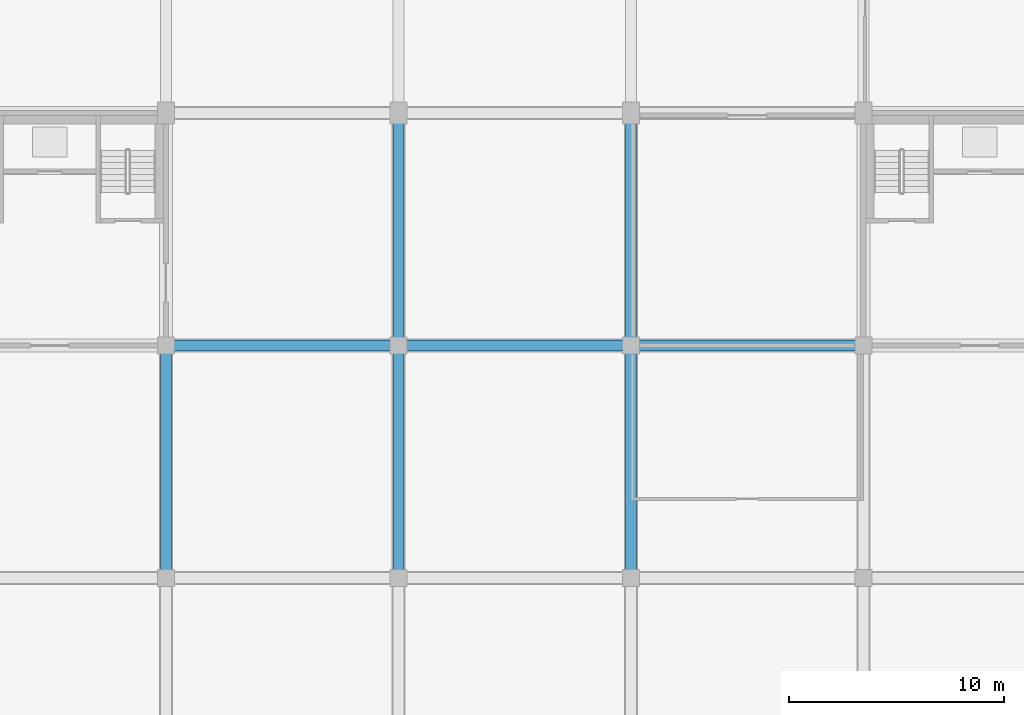
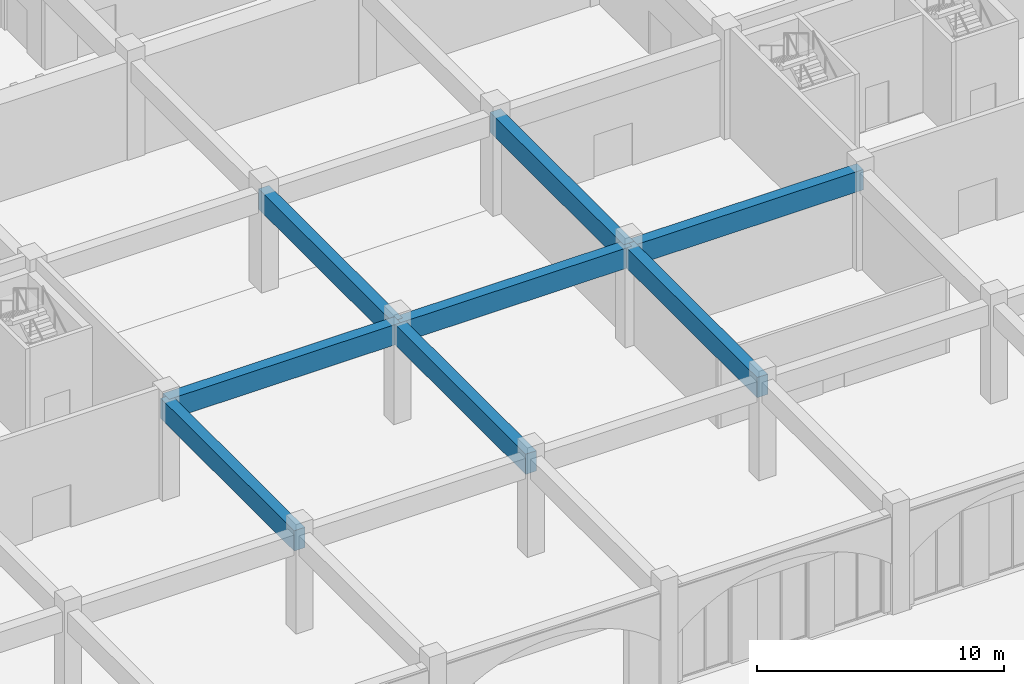
# One storey, part 18 of 101: 8 beams.
"""IFC4 building model written with IfcOpenShell, lengths in metres."""

from ifc_helpers import new_model, si_unit, direction, frame, origin, origin_2d, place, context, subcontext, project, spatial, rectangle, extrude, material, material_profile, profile_set, type_object, element, save


model = new_model("IFC4")

# Units and contexts
model_context = context("Model", 3, precision=1e-05, world=origin(), true_north=direction((0.0, 1.0)))
body_context = subcontext(model_context, "Body", "Model", "MODEL_VIEW")
ifc_project = project(units=[si_unit("LENGTHUNIT", "METRE"), si_unit("AREAUNIT", "SQUARE_METRE"), si_unit("VOLUMEUNIT", "CUBIC_METRE"), si_unit("PLANEANGLEUNIT", "RADIAN"), si_unit("MASSUNIT", "GRAM", prefix="KILO")], contexts=[model_context])

# Site, building, storey
site_placement = place(None, origin())
site = spatial("IfcSite", under=ifc_project, at=site_placement, CompositionType="ELEMENT")
building_placement = place(site_placement, origin())
building = spatial("IfcBuilding", under=site, at=building_placement, Name="Magnolia Steps Interchange", CompositionType="ELEMENT")
storey_placement = place(building_placement, frame((0.0, 0.0, -5.39990234375)))
storey = spatial("IfcBuildingStorey", under=building, at=storey_placement, Name="B1", CompositionType="ELEMENT", Elevation=-5.39990234375)

# Beams
ifc_material = material(Name="Concrete C40", Category="concrete")
ifc_material_profile = material_profile(ifc_material, rectangle(XDim=0.5, YDim=1.0, at=origin_2d()), Name="RC500x1000")
ifc_profile_set = profile_set([ifc_material_profile], Name="Concrete C40")
beam_type = type_object("IfcBeamType", Name="RC beam 500x1000", PredefinedType="BEAM", material=ifc_profile_set)
beam_1_placement = place(storey_placement, frame((139.60009765625, 31.60009765625, 4.2998046875), z_axis=(1.0, 0.0, 0.0), x_axis=(0.0, 1.0, 0.0)))
element("IfcBeam", 1, at=beam_1_placement, inside=storey, type_object=beam_type, Name="Beam L00 C 13-14", PredefinedType="BEAM", context=body_context, shape_type="SweptSolid", body=[
    extrude(rectangle(XDim=0.5, YDim=1.0, at=origin_2d()), origin(), (0.0, 0.0, 1.0), 10.7998046875),
])
for number, where, z_axis, x_axis, name in (
    (2, (150.39990234375, 31.60009765625, 4.2998046875), (1.0, 0.0, 0.0), (0.0, 1.0, 0.0), "Beam L00 C 14-15"),
    (3, (161.199951171875, 31.60009765625, 4.2998046875), (1.0, 0.0, 0.0), (0.0, 1.0, 0.0), "Beam L00 C 15-16"),
    (4, (139.60009765625, 20.800048828125, 4.2998046875), (0.0, 1.0, 0.0), (-1.0, 0.0, 0.0), "Beam L00 13 B-C"),
    (5, (150.39990234375, 20.800048828125, 4.2998046875), (0.0, 1.0, 0.0), (-1.0, 0.0, 0.0), "Beam L00 14 B-C"),
):
    element("IfcBeam", number, at=place(storey_placement, frame(where, z_axis=z_axis, x_axis=x_axis)), inside=storey, type_object=beam_type, Name=name, PredefinedType="BEAM", context=body_context, shape_type="SweptSolid", body=[
        extrude(rectangle(XDim=0.5, YDim=1.0, at=origin_2d()), origin(), (0.0, 0.0, 1.0), 10.800048828125),
    ])
beam_2_placement = place(storey_placement, frame((150.39990234375, 31.60009765625, 4.2998046875), z_axis=(0.0, 1.0, 0.0), x_axis=(-1.0, 0.0, 0.0)))
element("IfcBeam", 6, at=beam_2_placement, inside=storey, type_object=beam_type, Name="Beam L00 14 C-D", PredefinedType="BEAM", context=body_context, shape_type="SweptSolid", body=[
    extrude(rectangle(XDim=0.5, YDim=1.0, at=origin_2d()), origin(), (0.0, 0.0, 1.0), 10.7998046875),
])
beam_3_placement = place(storey_placement, frame((161.199951171875, 20.800048828125, 4.2998046875), z_axis=(0.0, 1.0, 0.0), x_axis=(-1.0, 0.0, 0.0)))
element("IfcBeam", 7, at=beam_3_placement, inside=storey, type_object=beam_type, Name="Beam L00 15 B-C", PredefinedType="BEAM", context=body_context, shape_type="SweptSolid", body=[
    extrude(rectangle(XDim=0.5, YDim=1.0, at=origin_2d()), origin(), (0.0, 0.0, 1.0), 10.800048828125),
])
beam_4_placement = place(storey_placement, frame((161.199951171875, 31.60009765625, 4.2998046875), z_axis=(0.0, 1.0, 0.0), x_axis=(-1.0, 0.0, 0.0)))
element("IfcBeam", 8, at=beam_4_placement, inside=storey, type_object=beam_type, Name="Beam L00 15 C-D", PredefinedType="BEAM", context=body_context, shape_type="SweptSolid", body=[
    extrude(rectangle(XDim=0.5, YDim=1.0, at=origin_2d()), origin(), (0.0, 0.0, 1.0), 10.7998046875),
])

save(model, "model.ifc")
